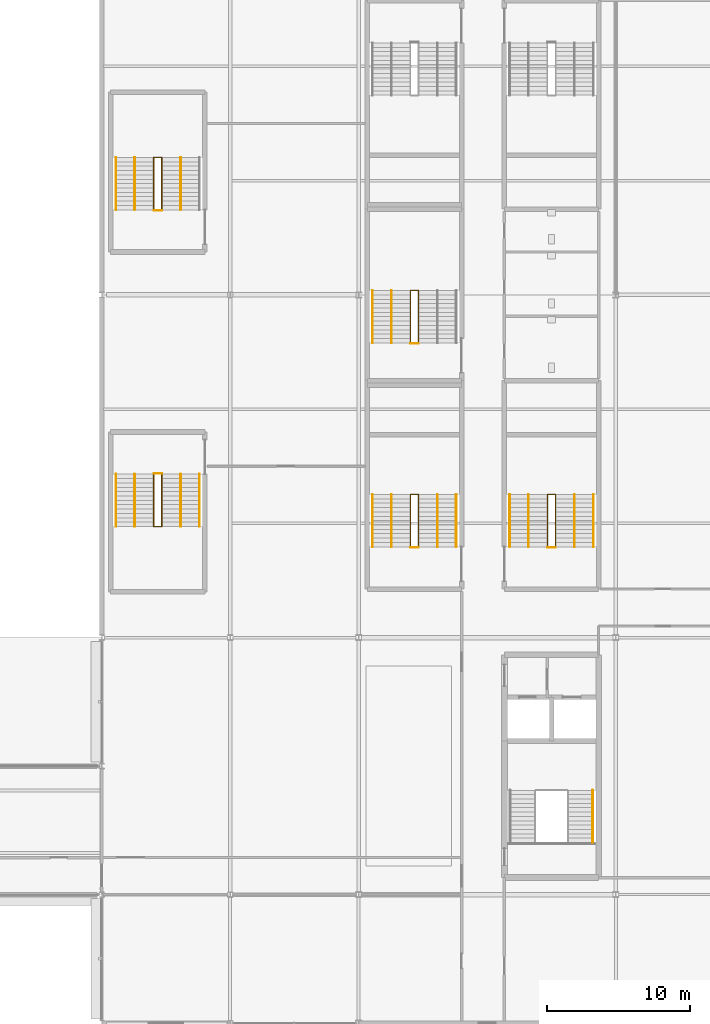
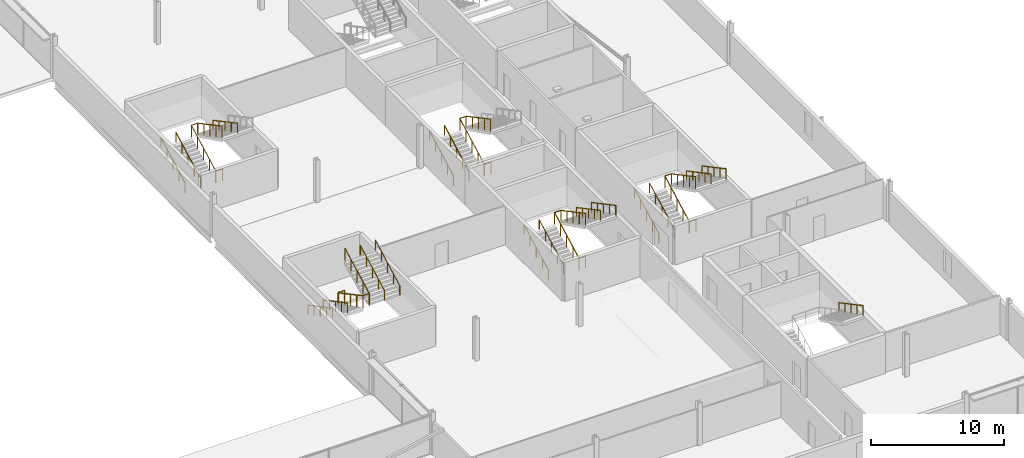
# One storey, part 101 of 105: 28 railings.
"""IFC4 building model written with IfcOpenShell, lengths in metres."""

from ifc_helpers import new_model, si_unit, direction, frame, origin, origin_2d, place, context, subcontext, project, spatial, circle, extrude, material, type_object, element, save


model = new_model("IFC4")

# Units and contexts
model_context = context("Model", 3, precision=1e-05, world=origin(), true_north=direction((0.0, 1.0)))
body_context = subcontext(model_context, "Body", "Model", "MODEL_VIEW")
ifc_project = project(units=[si_unit("LENGTHUNIT", "METRE"), si_unit("AREAUNIT", "SQUARE_METRE"), si_unit("VOLUMEUNIT", "CUBIC_METRE"), si_unit("PLANEANGLEUNIT", "RADIAN"), si_unit("MASSUNIT", "GRAM", prefix="KILO")], contexts=[model_context])

# Site, building, storey
site_placement = place(None, origin())
site = spatial("IfcSite", under=ifc_project, at=site_placement, CompositionType="ELEMENT")
building_placement = place(site_placement, origin())
building = spatial("IfcBuilding", under=site, at=building_placement, Name="Kisiwana Market Hall", CompositionType="ELEMENT")
storey_placement = place(building_placement, frame((0.0, 0.0, 21.60009765625)))
storey = spatial("IfcBuildingStorey", under=building, at=storey_placement, Name="L04", CompositionType="ELEMENT", Elevation=21.60009765625)

# Railings
ifc_material_1 = material(Name="Steel S275", Category="steel")
railing_type_1 = type_object("IfcRailingType", Name="RL-GUARD-1100", PredefinedType="GUARDRAIL", material=ifc_material_1)
railing_1_placement = place(storey_placement, frame((184.219970703125, 42.360107421875, 0.0)))
element("IfcRailing", 1, at=railing_1_placement, inside=storey, type_object=railing_type_1, Name="Stair ST-E3-L04 inner-well guardrail (RL-779)", PredefinedType="GUARDRAIL", context=body_context, shape_type="SweptSolid", body=[
    extrude(circle(Radius=0.02392578125, at=origin_2d()), frame((0.0, 0.0, 1.076171875), z_axis=(0.0, 0.88255331184, 0.47021234752), x_axis=(-1.0, 0.0, 0.0)), (0.0, 0.0, 1.0), 4.14697265625),
    extrude(circle(Radius=0.02392578125, at=origin_2d()), frame((0.0, 3.659912109375, 3.02587890625), z_axis=(1.0, 0.0, 0.0), x_axis=(0.0, 1.0, 0.0)), (0.0, 0.0, 1.0), 0.56005859375),
    extrude(circle(Radius=0.02392578125, at=origin_2d()), frame((0.56005859375, 3.659912109375, 3.02587890625), z_axis=(0.0, -0.88255331184, 0.47021234752), x_axis=(1.0, 0.0, 0.0)), (0.0, 0.0, 1.0), 4.14697265625),
    extrude(circle(Radius=0.02099609375, at=origin_2d()), origin(), (0.0, 0.0, 1.0), 1.052001953125),
    extrude(circle(Radius=0.02099609375, at=origin_2d()), frame((0.0, 0.9150390625, 0.487548828125)), (0.0, 0.0, 1.0), 1.052001953125),
    extrude(circle(Radius=0.02099609375, at=origin_2d()), frame((0.0, 1.830078125, 0.97509765625)), (0.0, 0.0, 1.0), 1.052001953125),
    extrude(circle(Radius=0.02099609375, at=origin_2d()), frame((0.0, 2.744873046875, 1.46240234375)), (0.0, 0.0, 1.0), 1.052001953125),
    extrude(circle(Radius=0.02099609375, at=origin_2d()), frame((0.0, 3.659912109375, 1.949951171875)), (0.0, 0.0, 1.0), 1.052001953125),
    extrude(circle(Radius=0.02099609375, at=origin_2d()), frame((0.56005859375, 3.659912109375, 1.949951171875)), (0.0, 0.0, 1.0), 1.052001953125),
    extrude(circle(Radius=0.02099609375, at=origin_2d()), frame((0.56005859375, 2.744873046875, 2.4375)), (0.0, 0.0, 1.0), 1.052001953125),
    extrude(circle(Radius=0.02099609375, at=origin_2d()), frame((0.56005859375, 1.830078125, 2.9248046875)), (0.0, 0.0, 1.0), 1.052001953125),
    extrude(circle(Radius=0.02099609375, at=origin_2d()), frame((0.56005859375, 0.9150390625, 3.412353515625)), (0.0, 0.0, 1.0), 1.052001953125),
    extrude(circle(Radius=0.02099609375, at=origin_2d()), frame((0.56005859375, 0.0, 3.89990234375)), (0.0, 0.0, 1.0), 1.052001953125),
])
railing_2_placement = place(storey_placement, frame((184.219970703125, 42.31005859375, 0.0)))
element("IfcRailing", 2, at=railing_2_placement, inside=storey, type_object=railing_type_1, Name="Stair ST-E3-L04 landing edge guardrail (RL-784)", PredefinedType="GUARDRAIL", context=body_context, shape_type="SweptSolid", body=[
    extrude(circle(Radius=0.02392578125, at=origin_2d()), frame((0.0, 0.0, 1.076171875), z_axis=(1.0, 0.0, 0.0), x_axis=(0.0, 1.0, 0.0)), (0.0, 0.0, 1.0), 0.56005859375),
    extrude(circle(Radius=0.02099609375, at=origin_2d()), origin(), (0.0, 0.0, 1.0), 1.052001953125),
    extrude(circle(Radius=0.02099609375, at=origin_2d()), frame((0.56005859375, 0.0, 0.0)), (0.0, 0.0, 1.0), 1.052001953125),
])
railing_3_placement = place(storey_placement, frame((174.6201171875, 42.360107421875, 0.0)))
element("IfcRailing", 3, at=railing_3_placement, inside=storey, type_object=railing_type_1, Name="Stair ST-E7-L04 inner-well guardrail (RL-797)", PredefinedType="GUARDRAIL", context=body_context, shape_type="SweptSolid", body=[
    extrude(circle(Radius=0.02392578125, at=origin_2d()), frame((0.0, 0.0, 1.076171875), z_axis=(0.0, 0.88255331184, 0.47021234752), x_axis=(-1.0, 0.0, 0.0)), (0.0, 0.0, 1.0), 4.14697265625),
    extrude(circle(Radius=0.02392578125, at=origin_2d()), frame((0.0, 3.659912109375, 3.02587890625), z_axis=(1.0, 0.0, 0.0), x_axis=(0.0, 1.0, 0.0)), (0.0, 0.0, 1.0), 0.559814453125),
    extrude(circle(Radius=0.02392578125, at=origin_2d()), frame((0.559814453125, 3.659912109375, 3.02587890625), z_axis=(0.0, -0.88255331184, 0.47021234752), x_axis=(1.0, 0.0, 0.0)), (0.0, 0.0, 1.0), 4.14697265625),
    extrude(circle(Radius=0.02099609375, at=origin_2d()), origin(), (0.0, 0.0, 1.0), 1.052001953125),
    extrude(circle(Radius=0.02099609375, at=origin_2d()), frame((0.0, 0.9150390625, 0.487548828125)), (0.0, 0.0, 1.0), 1.052001953125),
    extrude(circle(Radius=0.02099609375, at=origin_2d()), frame((0.0, 1.830078125, 0.97509765625)), (0.0, 0.0, 1.0), 1.052001953125),
    extrude(circle(Radius=0.02099609375, at=origin_2d()), frame((0.0, 2.744873046875, 1.46240234375)), (0.0, 0.0, 1.0), 1.052001953125),
    extrude(circle(Radius=0.02099609375, at=origin_2d()), frame((0.0, 3.659912109375, 1.949951171875)), (0.0, 0.0, 1.0), 1.052001953125),
    extrude(circle(Radius=0.02099609375, at=origin_2d()), frame((0.559814453125, 3.659912109375, 1.949951171875)), (0.0, 0.0, 1.0), 1.052001953125),
    extrude(circle(Radius=0.02099609375, at=origin_2d()), frame((0.559814453125, 2.744873046875, 2.4375)), (0.0, 0.0, 1.0), 1.052001953125),
    extrude(circle(Radius=0.02099609375, at=origin_2d()), frame((0.559814453125, 1.830078125, 2.9248046875)), (0.0, 0.0, 1.0), 1.052001953125),
    extrude(circle(Radius=0.02099609375, at=origin_2d()), frame((0.559814453125, 0.9150390625, 3.412353515625)), (0.0, 0.0, 1.0), 1.052001953125),
    extrude(circle(Radius=0.02099609375, at=origin_2d()), frame((0.559814453125, 0.0, 3.89990234375)), (0.0, 0.0, 1.0), 1.052001953125),
])
railing_4_placement = place(storey_placement, frame((174.6201171875, 42.31005859375, 0.0)))
element("IfcRailing", 4, at=railing_4_placement, inside=storey, type_object=railing_type_1, Name="Stair ST-E7-L04 landing edge guardrail (RL-802)", PredefinedType="GUARDRAIL", context=body_context, shape_type="SweptSolid", body=[
    extrude(circle(Radius=0.02392578125, at=origin_2d()), frame((0.0, 0.0, 1.076171875), z_axis=(1.0, 0.0, 0.0), x_axis=(0.0, 1.0, 0.0)), (0.0, 0.0, 1.0), 0.559814453125),
    extrude(circle(Radius=0.02099609375, at=origin_2d()), origin(), (0.0, 0.0, 1.0), 1.052001953125),
    extrude(circle(Radius=0.02099609375, at=origin_2d()), frame((0.559814453125, 0.0, 0.0)), (0.0, 0.0, 1.0), 1.052001953125),
])
railing_5_placement = place(storey_placement, frame((156.64990234375, 47.43994140625, 0.0)))
element("IfcRailing", 5, at=railing_5_placement, inside=storey, type_object=railing_type_1, Name="Stair ST-E9-L04 inner-well guardrail (RL-821)", PredefinedType="GUARDRAIL", context=body_context, shape_type="SweptSolid", body=[
    extrude(circle(Radius=0.02392578125, at=origin_2d()), frame((0.0, 0.0, 1.076171875), z_axis=(0.0, -0.88255331184, 0.47021234752), x_axis=(1.0, 0.0, 0.0)), (0.0, 0.0, 1.0), 4.14697265625),
    extrude(circle(Radius=0.02392578125, at=origin_2d()), frame((0.0, -3.659912109375, 3.02587890625), z_axis=(1.0, 0.0, 0.0), x_axis=(0.0, 1.0, 0.0)), (0.0, 0.0, 1.0), 0.56005859375),
    extrude(circle(Radius=0.02392578125, at=origin_2d()), frame((0.56005859375, -3.659912109375, 3.02587890625), z_axis=(0.0, 0.88255331184, 0.47021234752), x_axis=(-1.0, 0.0, 0.0)), (0.0, 0.0, 1.0), 4.14697265625),
    extrude(circle(Radius=0.02099609375, at=origin_2d()), origin(), (0.0, 0.0, 1.0), 1.052001953125),
    extrude(circle(Radius=0.02099609375, at=origin_2d()), frame((0.0, -0.9150390625, 0.487548828125)), (0.0, 0.0, 1.0), 1.052001953125),
    extrude(circle(Radius=0.02099609375, at=origin_2d()), frame((0.0, -1.830078125, 0.97509765625)), (0.0, 0.0, 1.0), 1.052001953125),
    extrude(circle(Radius=0.02099609375, at=origin_2d()), frame((0.0, -2.744873046875, 1.46240234375)), (0.0, 0.0, 1.0), 1.052001953125),
    extrude(circle(Radius=0.02099609375, at=origin_2d()), frame((0.0, -3.659912109375, 1.949951171875)), (0.0, 0.0, 1.0), 1.052001953125),
    extrude(circle(Radius=0.02099609375, at=origin_2d()), frame((0.56005859375, -3.659912109375, 1.949951171875)), (0.0, 0.0, 1.0), 1.052001953125),
    extrude(circle(Radius=0.02099609375, at=origin_2d()), frame((0.56005859375, -2.744873046875, 2.4375)), (0.0, 0.0, 1.0), 1.052001953125),
    extrude(circle(Radius=0.02099609375, at=origin_2d()), frame((0.56005859375, -1.830078125, 2.9248046875)), (0.0, 0.0, 1.0), 1.052001953125),
    extrude(circle(Radius=0.02099609375, at=origin_2d()), frame((0.56005859375, -0.9150390625, 3.412353515625)), (0.0, 0.0, 1.0), 1.052001953125),
    extrude(circle(Radius=0.02099609375, at=origin_2d()), frame((0.56005859375, 0.0, 3.89990234375)), (0.0, 0.0, 1.0), 1.052001953125),
])
railing_6_placement = place(storey_placement, frame((156.64990234375, 47.489990234375, 0.0)))
element("IfcRailing", 6, at=railing_6_placement, inside=storey, type_object=railing_type_1, Name="Stair ST-E9-L04 landing edge guardrail (RL-826)", PredefinedType="GUARDRAIL", context=body_context, shape_type="SweptSolid", body=[
    extrude(circle(Radius=0.02392578125, at=origin_2d()), frame((0.0, 0.0, 1.076171875), z_axis=(1.0, 0.0, 0.0), x_axis=(0.0, 1.0, 0.0)), (0.0, 0.0, 1.0), 0.56005859375),
    extrude(circle(Radius=0.02099609375, at=origin_2d()), origin(), (0.0, 0.0, 1.0), 1.052001953125),
    extrude(circle(Radius=0.02099609375, at=origin_2d()), frame((0.56005859375, 0.0, 0.0)), (0.0, 0.0, 1.0), 1.052001953125),
])
railing_7_placement = place(storey_placement, frame((156.64990234375, 65.9599609375, 0.0)))
element("IfcRailing", 7, at=railing_7_placement, inside=storey, type_object=railing_type_1, Name="Stair ST-E10-L04 inner-well guardrail (RL-833)", PredefinedType="GUARDRAIL", context=body_context, shape_type="SweptSolid", body=[
    extrude(circle(Radius=0.02392578125, at=origin_2d()), frame((0.0, 0.0, 1.076171875), z_axis=(0.0, 0.882566327451, 0.470187917379), x_axis=(-1.0, 0.0, 0.0)), (0.0, 0.0, 1.0), 4.147216796875),
    extrude(circle(Radius=0.02392578125, at=origin_2d()), frame((0.0, 3.66015625, 3.02587890625), z_axis=(1.0, 0.0, 0.0), x_axis=(0.0, 1.0, 0.0)), (0.0, 0.0, 1.0), 0.56005859375),
    extrude(circle(Radius=0.02392578125, at=origin_2d()), frame((0.56005859375, 3.66015625, 3.02587890625), z_axis=(0.0, -0.882566327451, 0.470187917379), x_axis=(1.0, 0.0, 0.0)), (0.0, 0.0, 1.0), 4.147216796875),
    extrude(circle(Radius=0.02099609375, at=origin_2d()), origin(), (0.0, 0.0, 1.0), 1.052001953125),
    extrude(circle(Radius=0.02099609375, at=origin_2d()), frame((0.0, 0.9150390625, 0.487548828125)), (0.0, 0.0, 1.0), 1.052001953125),
    extrude(circle(Radius=0.02099609375, at=origin_2d()), frame((0.0, 1.830078125, 0.97509765625)), (0.0, 0.0, 1.0), 1.052001953125),
    extrude(circle(Radius=0.02099609375, at=origin_2d()), frame((0.0, 2.7451171875, 1.46240234375)), (0.0, 0.0, 1.0), 1.052001953125),
    extrude(circle(Radius=0.02099609375, at=origin_2d()), frame((0.0, 3.66015625, 1.949951171875)), (0.0, 0.0, 1.0), 1.052001953125),
    extrude(circle(Radius=0.02099609375, at=origin_2d()), frame((0.56005859375, 3.66015625, 1.949951171875)), (0.0, 0.0, 1.0), 1.052001953125),
    extrude(circle(Radius=0.02099609375, at=origin_2d()), frame((0.56005859375, 2.7451171875, 2.4375)), (0.0, 0.0, 1.0), 1.052001953125),
    extrude(circle(Radius=0.02099609375, at=origin_2d()), frame((0.56005859375, 1.830078125, 2.9248046875)), (0.0, 0.0, 1.0), 1.052001953125),
    extrude(circle(Radius=0.02099609375, at=origin_2d()), frame((0.56005859375, 0.9150390625, 3.412353515625)), (0.0, 0.0, 1.0), 1.052001953125),
    extrude(circle(Radius=0.02099609375, at=origin_2d()), frame((0.56005859375, 0.0, 3.89990234375)), (0.0, 0.0, 1.0), 1.052001953125),
])
railing_8_placement = place(storey_placement, frame((156.64990234375, 65.909912109375, 0.0)))
element("IfcRailing", 8, at=railing_8_placement, inside=storey, type_object=railing_type_1, Name="Stair ST-E10-L04 landing edge guardrail (RL-838)", PredefinedType="GUARDRAIL", context=body_context, shape_type="SweptSolid", body=[
    extrude(circle(Radius=0.02392578125, at=origin_2d()), frame((0.0, 0.0, 1.076171875), z_axis=(1.0, 0.0, 0.0), x_axis=(0.0, 1.0, 0.0)), (0.0, 0.0, 1.0), 0.56005859375),
    extrude(circle(Radius=0.02099609375, at=origin_2d()), origin(), (0.0, 0.0, 1.0), 1.052001953125),
    extrude(circle(Radius=0.02099609375, at=origin_2d()), frame((0.56005859375, 0.0, 0.0)), (0.0, 0.0, 1.0), 1.052001953125),
])
railing_9_placement = place(storey_placement, frame((174.6201171875, 56.639892578125, 0.0)))
element("IfcRailing", 9, at=railing_9_placement, inside=storey, type_object=railing_type_1, Name="Stair ST-E5-L04 inner-well guardrail (RL-845)", PredefinedType="GUARDRAIL", context=body_context, shape_type="SweptSolid", body=[
    extrude(circle(Radius=0.02392578125, at=origin_2d()), frame((0.0, 0.0, 1.076171875), z_axis=(0.0, 0.882566327451, 0.470187917379), x_axis=(-1.0, 0.0, 0.0)), (0.0, 0.0, 1.0), 4.147216796875),
    extrude(circle(Radius=0.02392578125, at=origin_2d()), frame((0.0, 3.66015625, 3.02587890625), z_axis=(1.0, 0.0, 0.0), x_axis=(0.0, 1.0, 0.0)), (0.0, 0.0, 1.0), 0.559814453125),
    extrude(circle(Radius=0.02392578125, at=origin_2d()), frame((0.559814453125, 3.66015625, 3.02587890625), z_axis=(0.0, -0.882566327451, 0.470187917379), x_axis=(1.0, 0.0, 0.0)), (0.0, 0.0, 1.0), 4.147216796875),
    extrude(circle(Radius=0.02099609375, at=origin_2d()), origin(), (0.0, 0.0, 1.0), 1.052001953125),
    extrude(circle(Radius=0.02099609375, at=origin_2d()), frame((0.0, 0.9150390625, 0.487548828125)), (0.0, 0.0, 1.0), 1.052001953125),
    extrude(circle(Radius=0.02099609375, at=origin_2d()), frame((0.0, 1.830078125, 0.97509765625)), (0.0, 0.0, 1.0), 1.052001953125),
    extrude(circle(Radius=0.02099609375, at=origin_2d()), frame((0.0, 2.7451171875, 1.46240234375)), (0.0, 0.0, 1.0), 1.052001953125),
    extrude(circle(Radius=0.02099609375, at=origin_2d()), frame((0.0, 3.66015625, 1.949951171875)), (0.0, 0.0, 1.0), 1.052001953125),
    extrude(circle(Radius=0.02099609375, at=origin_2d()), frame((0.559814453125, 3.66015625, 1.949951171875)), (0.0, 0.0, 1.0), 1.052001953125),
    extrude(circle(Radius=0.02099609375, at=origin_2d()), frame((0.559814453125, 2.7451171875, 2.4375)), (0.0, 0.0, 1.0), 1.052001953125),
    extrude(circle(Radius=0.02099609375, at=origin_2d()), frame((0.559814453125, 1.830078125, 2.9248046875)), (0.0, 0.0, 1.0), 1.052001953125),
    extrude(circle(Radius=0.02099609375, at=origin_2d()), frame((0.559814453125, 0.9150390625, 3.412353515625)), (0.0, 0.0, 1.0), 1.052001953125),
    extrude(circle(Radius=0.02099609375, at=origin_2d()), frame((0.559814453125, 0.0, 3.89990234375)), (0.0, 0.0, 1.0), 1.052001953125),
])
railing_10_placement = place(storey_placement, frame((174.6201171875, 56.590087890625, 0.0)))
element("IfcRailing", 10, at=railing_10_placement, inside=storey, type_object=railing_type_1, Name="Stair ST-E5-L04 landing edge guardrail (RL-850)", PredefinedType="GUARDRAIL", context=body_context, shape_type="SweptSolid", body=[
    extrude(circle(Radius=0.02392578125, at=origin_2d()), frame((0.0, 0.0, 1.076171875), z_axis=(1.0, 0.0, 0.0), x_axis=(0.0, 1.0, 0.0)), (0.0, 0.0, 1.0), 0.559814453125),
    extrude(circle(Radius=0.02099609375, at=origin_2d()), origin(), (0.0, 0.0, 1.0), 1.052001953125),
    extrude(circle(Radius=0.02099609375, at=origin_2d()), frame((0.559814453125, 0.0, 0.0)), (0.0, 0.0, 1.0), 1.052001953125),
])
ifc_material_2 = material(Name="Steel S275", Category="steel")
railing_type_2 = type_object("IfcRailingType", Name="RL-HAND-900", PredefinedType="HANDRAIL", material=ifc_material_2)
railing_11_placement = place(storey_placement, frame((187.389892578125, 25.3095703125, 1.949951171875)))
element("IfcRailing", 11, at=railing_11_placement, inside=storey, type_object=railing_type_2, Name="Stair ST-E2-L04 flight 2 handrail (RL-761)", PredefinedType="HANDRAIL", context=body_context, shape_type="SweptSolid", body=[
    extrude(circle(Radius=0.02392578125, at=origin_2d()), frame((0.0, 0.0, 0.8759765625), z_axis=(0.0, -0.882566327451, 0.470187917379), x_axis=(1.0, 0.0, 0.0)), (0.0, 0.0, 1.0), 4.147216796875),
    extrude(circle(Radius=0.02099609375, at=origin_2d()), origin(), (0.0, 0.0, 1.0), 0.851806640625),
    extrude(circle(Radius=0.02099609375, at=origin_2d()), frame((0.0, -0.9150390625, 0.487548828125)), (0.0, 0.0, 1.0), 0.851806640625),
    extrude(circle(Radius=0.02099609375, at=origin_2d()), frame((0.0, -1.830078125, 0.97509765625)), (0.0, 0.0, 1.0), 0.851806640625),
    extrude(circle(Radius=0.02099609375, at=origin_2d()), frame((0.0, -2.7451171875, 1.46240234375)), (0.0, 0.0, 1.0), 0.851806640625),
    extrude(circle(Radius=0.02099609375, at=origin_2d()), frame((0.0, -3.66015625, 1.949951171875)), (0.0, 0.0, 1.0), 0.851806640625),
])
railing_12_placement = place(storey_placement, frame((181.570068359375, 42.360107421875, 0.0)))
element("IfcRailing", 12, at=railing_12_placement, inside=storey, type_object=railing_type_2, Name="Stair ST-E3-L04 flight 1 handrail (RL-780)", PredefinedType="HANDRAIL", context=body_context, shape_type="SweptSolid", body=[
    extrude(circle(Radius=0.02392578125, at=origin_2d()), frame((0.0, 0.0, 0.8759765625), z_axis=(0.0, 0.88255331184, 0.47021234752), x_axis=(-1.0, 0.0, 0.0)), (0.0, 0.0, 1.0), 4.14697265625),
    extrude(circle(Radius=0.02099609375, at=origin_2d()), origin(), (0.0, 0.0, 1.0), 0.851806640625),
    extrude(circle(Radius=0.02099609375, at=origin_2d()), frame((0.0, 0.9150390625, 0.487548828125)), (0.0, 0.0, 1.0), 0.851806640625),
    extrude(circle(Radius=0.02099609375, at=origin_2d()), frame((0.0, 1.830078125, 0.97509765625)), (0.0, 0.0, 1.0), 0.851806640625),
    extrude(circle(Radius=0.02099609375, at=origin_2d()), frame((0.0, 2.744873046875, 1.46240234375)), (0.0, 0.0, 1.0), 0.851806640625),
    extrude(circle(Radius=0.02099609375, at=origin_2d()), frame((0.0, 3.659912109375, 1.949951171875)), (0.0, 0.0, 1.0), 0.851806640625),
])
railing_13_placement = place(storey_placement, frame((187.429931640625, 46.02001953125, 1.949951171875)))
element("IfcRailing", 13, at=railing_13_placement, inside=storey, type_object=railing_type_2, Name="Stair ST-E3-L04 flight 2 handrail (RL-781)", PredefinedType="HANDRAIL", context=body_context, shape_type="SweptSolid", body=[
    extrude(circle(Radius=0.02392578125, at=origin_2d()), frame((0.0, 0.0, 0.8759765625), z_axis=(0.0, -0.88255331184, 0.47021234752), x_axis=(1.0, 0.0, 0.0)), (0.0, 0.0, 1.0), 4.14697265625),
    extrude(circle(Radius=0.02099609375, at=origin_2d()), origin(), (0.0, 0.0, 1.0), 0.851806640625),
    extrude(circle(Radius=0.02099609375, at=origin_2d()), frame((0.0, -0.9150390625, 0.487548828125)), (0.0, 0.0, 1.0), 0.851806640625),
    extrude(circle(Radius=0.02099609375, at=origin_2d()), frame((0.0, -1.830078125, 0.97509765625)), (0.0, 0.0, 1.0), 0.851806640625),
    extrude(circle(Radius=0.02099609375, at=origin_2d()), frame((0.0, -2.744873046875, 1.46240234375)), (0.0, 0.0, 1.0), 0.851806640625),
    extrude(circle(Radius=0.02099609375, at=origin_2d()), frame((0.0, -3.659912109375, 1.949951171875)), (0.0, 0.0, 1.0), 0.851806640625),
])
railing_14_placement = place(storey_placement, frame((182.889892578125, 42.360107421875, 0.0)))
element("IfcRailing", 14, at=railing_14_placement, inside=storey, type_object=railing_type_2, Name="Stair ST-E3-L04 flight 1 intermediate handrail (RL-782)", PredefinedType="HANDRAIL", context=body_context, shape_type="SweptSolid", body=[
    extrude(circle(Radius=0.02392578125, at=origin_2d()), frame((0.0, 0.0, 0.8759765625), z_axis=(0.0, 0.88255331184, 0.47021234752), x_axis=(-1.0, 0.0, 0.0)), (0.0, 0.0, 1.0), 4.14697265625),
    extrude(circle(Radius=0.02099609375, at=origin_2d()), origin(), (0.0, 0.0, 1.0), 0.851806640625),
    extrude(circle(Radius=0.02099609375, at=origin_2d()), frame((0.0, 0.9150390625, 0.487548828125)), (0.0, 0.0, 1.0), 0.851806640625),
    extrude(circle(Radius=0.02099609375, at=origin_2d()), frame((0.0, 1.830078125, 0.97509765625)), (0.0, 0.0, 1.0), 0.851806640625),
    extrude(circle(Radius=0.02099609375, at=origin_2d()), frame((0.0, 2.744873046875, 1.46240234375)), (0.0, 0.0, 1.0), 0.851806640625),
    extrude(circle(Radius=0.02099609375, at=origin_2d()), frame((0.0, 3.659912109375, 1.949951171875)), (0.0, 0.0, 1.0), 0.851806640625),
])
railing_15_placement = place(storey_placement, frame((186.110107421875, 46.02001953125, 1.949951171875)))
element("IfcRailing", 15, at=railing_15_placement, inside=storey, type_object=railing_type_2, Name="Stair ST-E3-L04 flight 2 intermediate handrail (RL-783)", PredefinedType="HANDRAIL", context=body_context, shape_type="SweptSolid", body=[
    extrude(circle(Radius=0.02392578125, at=origin_2d()), frame((0.0, 0.0, 0.8759765625), z_axis=(0.0, -0.88255331184, 0.47021234752), x_axis=(1.0, 0.0, 0.0)), (0.0, 0.0, 1.0), 4.14697265625),
    extrude(circle(Radius=0.02099609375, at=origin_2d()), origin(), (0.0, 0.0, 1.0), 0.851806640625),
    extrude(circle(Radius=0.02099609375, at=origin_2d()), frame((0.0, -0.9150390625, 0.487548828125)), (0.0, 0.0, 1.0), 0.851806640625),
    extrude(circle(Radius=0.02099609375, at=origin_2d()), frame((0.0, -1.830078125, 0.97509765625)), (0.0, 0.0, 1.0), 0.851806640625),
    extrude(circle(Radius=0.02099609375, at=origin_2d()), frame((0.0, -2.744873046875, 1.46240234375)), (0.0, 0.0, 1.0), 0.851806640625),
    extrude(circle(Radius=0.02099609375, at=origin_2d()), frame((0.0, -3.659912109375, 1.949951171875)), (0.0, 0.0, 1.0), 0.851806640625),
])
railing_16_placement = place(storey_placement, frame((171.969970703125, 42.360107421875, 0.0)))
element("IfcRailing", 16, at=railing_16_placement, inside=storey, type_object=railing_type_2, Name="Stair ST-E7-L04 flight 1 handrail (RL-798)", PredefinedType="HANDRAIL", context=body_context, shape_type="SweptSolid", body=[
    extrude(circle(Radius=0.02392578125, at=origin_2d()), frame((0.0, 0.0, 0.8759765625), z_axis=(0.0, 0.88255331184, 0.47021234752), x_axis=(-1.0, 0.0, 0.0)), (0.0, 0.0, 1.0), 4.14697265625),
    extrude(circle(Radius=0.02099609375, at=origin_2d()), origin(), (0.0, 0.0, 1.0), 0.851806640625),
    extrude(circle(Radius=0.02099609375, at=origin_2d()), frame((0.0, 0.9150390625, 0.487548828125)), (0.0, 0.0, 1.0), 0.851806640625),
    extrude(circle(Radius=0.02099609375, at=origin_2d()), frame((0.0, 1.830078125, 0.97509765625)), (0.0, 0.0, 1.0), 0.851806640625),
    extrude(circle(Radius=0.02099609375, at=origin_2d()), frame((0.0, 2.744873046875, 1.46240234375)), (0.0, 0.0, 1.0), 0.851806640625),
    extrude(circle(Radius=0.02099609375, at=origin_2d()), frame((0.0, 3.659912109375, 1.949951171875)), (0.0, 0.0, 1.0), 0.851806640625),
])
railing_17_placement = place(storey_placement, frame((177.830078125, 46.02001953125, 1.949951171875)))
element("IfcRailing", 17, at=railing_17_placement, inside=storey, type_object=railing_type_2, Name="Stair ST-E7-L04 flight 2 handrail (RL-799)", PredefinedType="HANDRAIL", context=body_context, shape_type="SweptSolid", body=[
    extrude(circle(Radius=0.02392578125, at=origin_2d()), frame((0.0, 0.0, 0.8759765625), z_axis=(0.0, -0.88255331184, 0.47021234752), x_axis=(1.0, 0.0, 0.0)), (0.0, 0.0, 1.0), 4.14697265625),
    extrude(circle(Radius=0.02099609375, at=origin_2d()), origin(), (0.0, 0.0, 1.0), 0.851806640625),
    extrude(circle(Radius=0.02099609375, at=origin_2d()), frame((0.0, -0.9150390625, 0.487548828125)), (0.0, 0.0, 1.0), 0.851806640625),
    extrude(circle(Radius=0.02099609375, at=origin_2d()), frame((0.0, -1.830078125, 0.97509765625)), (0.0, 0.0, 1.0), 0.851806640625),
    extrude(circle(Radius=0.02099609375, at=origin_2d()), frame((0.0, -2.744873046875, 1.46240234375)), (0.0, 0.0, 1.0), 0.851806640625),
    extrude(circle(Radius=0.02099609375, at=origin_2d()), frame((0.0, -3.659912109375, 1.949951171875)), (0.0, 0.0, 1.0), 0.851806640625),
])
railing_18_placement = place(storey_placement, frame((173.2900390625, 42.360107421875, 0.0)))
element("IfcRailing", 18, at=railing_18_placement, inside=storey, type_object=railing_type_2, Name="Stair ST-E7-L04 flight 1 intermediate handrail (RL-800)", PredefinedType="HANDRAIL", context=body_context, shape_type="SweptSolid", body=[
    extrude(circle(Radius=0.02392578125, at=origin_2d()), frame((0.0, 0.0, 0.8759765625), z_axis=(0.0, 0.88255331184, 0.47021234752), x_axis=(-1.0, 0.0, 0.0)), (0.0, 0.0, 1.0), 4.14697265625),
    extrude(circle(Radius=0.02099609375, at=origin_2d()), origin(), (0.0, 0.0, 1.0), 0.851806640625),
    extrude(circle(Radius=0.02099609375, at=origin_2d()), frame((0.0, 0.9150390625, 0.487548828125)), (0.0, 0.0, 1.0), 0.851806640625),
    extrude(circle(Radius=0.02099609375, at=origin_2d()), frame((0.0, 1.830078125, 0.97509765625)), (0.0, 0.0, 1.0), 0.851806640625),
    extrude(circle(Radius=0.02099609375, at=origin_2d()), frame((0.0, 2.744873046875, 1.46240234375)), (0.0, 0.0, 1.0), 0.851806640625),
    extrude(circle(Radius=0.02099609375, at=origin_2d()), frame((0.0, 3.659912109375, 1.949951171875)), (0.0, 0.0, 1.0), 0.851806640625),
])
for number, where, name in (
    (19, (176.510009765625, 46.02001953125, 1.949951171875), "Stair ST-E7-L04 flight 2 intermediate handrail (RL-801)"),
    (20, (154.0, 47.43994140625, 0.0), "Stair ST-E9-L04 flight 1 handrail (RL-822)"),
):
    element("IfcRailing", number, at=place(storey_placement, frame(where)), inside=storey, type_object=railing_type_2, Name=name, PredefinedType="HANDRAIL", context=body_context, shape_type="SweptSolid", body=[
        extrude(circle(Radius=0.02392578125, at=origin_2d()), frame((0.0, 0.0, 0.8759765625), z_axis=(0.0, -0.88255331184, 0.47021234752), x_axis=(1.0, 0.0, 0.0)), (0.0, 0.0, 1.0), 4.14697265625),
        extrude(circle(Radius=0.02099609375, at=origin_2d()), origin(), (0.0, 0.0, 1.0), 0.851806640625),
        extrude(circle(Radius=0.02099609375, at=origin_2d()), frame((0.0, -0.9150390625, 0.487548828125)), (0.0, 0.0, 1.0), 0.851806640625),
        extrude(circle(Radius=0.02099609375, at=origin_2d()), frame((0.0, -1.830078125, 0.97509765625)), (0.0, 0.0, 1.0), 0.851806640625),
        extrude(circle(Radius=0.02099609375, at=origin_2d()), frame((0.0, -2.744873046875, 1.46240234375)), (0.0, 0.0, 1.0), 0.851806640625),
        extrude(circle(Radius=0.02099609375, at=origin_2d()), frame((0.0, -3.659912109375, 1.949951171875)), (0.0, 0.0, 1.0), 0.851806640625),
    ])
railing_19_placement = place(storey_placement, frame((159.860107421875, 43.780029296875, 1.949951171875)))
element("IfcRailing", 21, at=railing_19_placement, inside=storey, type_object=railing_type_2, Name="Stair ST-E9-L04 flight 2 handrail (RL-823)", PredefinedType="HANDRAIL", context=body_context, shape_type="SweptSolid", body=[
    extrude(circle(Radius=0.02392578125, at=origin_2d()), frame((0.0, 0.0, 0.8759765625), z_axis=(0.0, 0.88255331184, 0.47021234752), x_axis=(-1.0, 0.0, 0.0)), (0.0, 0.0, 1.0), 4.14697265625),
    extrude(circle(Radius=0.02099609375, at=origin_2d()), origin(), (0.0, 0.0, 1.0), 0.851806640625),
    extrude(circle(Radius=0.02099609375, at=origin_2d()), frame((0.0, 0.9150390625, 0.487548828125)), (0.0, 0.0, 1.0), 0.851806640625),
    extrude(circle(Radius=0.02099609375, at=origin_2d()), frame((0.0, 1.830078125, 0.97509765625)), (0.0, 0.0, 1.0), 0.851806640625),
    extrude(circle(Radius=0.02099609375, at=origin_2d()), frame((0.0, 2.744873046875, 1.46240234375)), (0.0, 0.0, 1.0), 0.851806640625),
    extrude(circle(Radius=0.02099609375, at=origin_2d()), frame((0.0, 3.659912109375, 1.949951171875)), (0.0, 0.0, 1.0), 0.851806640625),
])
railing_20_placement = place(storey_placement, frame((155.320068359375, 47.43994140625, 0.0)))
element("IfcRailing", 22, at=railing_20_placement, inside=storey, type_object=railing_type_2, Name="Stair ST-E9-L04 flight 1 intermediate handrail (RL-824)", PredefinedType="HANDRAIL", context=body_context, shape_type="SweptSolid", body=[
    extrude(circle(Radius=0.02392578125, at=origin_2d()), frame((0.0, 0.0, 0.8759765625), z_axis=(0.0, -0.88255331184, 0.47021234752), x_axis=(1.0, 0.0, 0.0)), (0.0, 0.0, 1.0), 4.14697265625),
    extrude(circle(Radius=0.02099609375, at=origin_2d()), origin(), (0.0, 0.0, 1.0), 0.851806640625),
    extrude(circle(Radius=0.02099609375, at=origin_2d()), frame((0.0, -0.9150390625, 0.487548828125)), (0.0, 0.0, 1.0), 0.851806640625),
    extrude(circle(Radius=0.02099609375, at=origin_2d()), frame((0.0, -1.830078125, 0.97509765625)), (0.0, 0.0, 1.0), 0.851806640625),
    extrude(circle(Radius=0.02099609375, at=origin_2d()), frame((0.0, -2.744873046875, 1.46240234375)), (0.0, 0.0, 1.0), 0.851806640625),
    extrude(circle(Radius=0.02099609375, at=origin_2d()), frame((0.0, -3.659912109375, 1.949951171875)), (0.0, 0.0, 1.0), 0.851806640625),
])
railing_21_placement = place(storey_placement, frame((158.5400390625, 43.780029296875, 1.949951171875)))
element("IfcRailing", 23, at=railing_21_placement, inside=storey, type_object=railing_type_2, Name="Stair ST-E9-L04 flight 2 intermediate handrail (RL-825)", PredefinedType="HANDRAIL", context=body_context, shape_type="SweptSolid", body=[
    extrude(circle(Radius=0.02392578125, at=origin_2d()), frame((0.0, 0.0, 0.8759765625), z_axis=(0.0, 0.88255331184, 0.47021234752), x_axis=(-1.0, 0.0, 0.0)), (0.0, 0.0, 1.0), 4.14697265625),
    extrude(circle(Radius=0.02099609375, at=origin_2d()), origin(), (0.0, 0.0, 1.0), 0.851806640625),
    extrude(circle(Radius=0.02099609375, at=origin_2d()), frame((0.0, 0.9150390625, 0.487548828125)), (0.0, 0.0, 1.0), 0.851806640625),
    extrude(circle(Radius=0.02099609375, at=origin_2d()), frame((0.0, 1.830078125, 0.97509765625)), (0.0, 0.0, 1.0), 0.851806640625),
    extrude(circle(Radius=0.02099609375, at=origin_2d()), frame((0.0, 2.744873046875, 1.46240234375)), (0.0, 0.0, 1.0), 0.851806640625),
    extrude(circle(Radius=0.02099609375, at=origin_2d()), frame((0.0, 3.659912109375, 1.949951171875)), (0.0, 0.0, 1.0), 0.851806640625),
])
for number, where, name in (
    (24, (154.0, 65.9599609375, 0.0), "Stair ST-E10-L04 flight 1 handrail (RL-834)"),
    (25, (155.320068359375, 65.9599609375, 0.0), "Stair ST-E10-L04 flight 1 intermediate handrail (RL-836)"),
):
    element("IfcRailing", number, at=place(storey_placement, frame(where)), inside=storey, type_object=railing_type_2, Name=name, PredefinedType="HANDRAIL", context=body_context, shape_type="SweptSolid", body=[
        extrude(circle(Radius=0.02392578125, at=origin_2d()), frame((0.0, 0.0, 0.8759765625), z_axis=(0.0, 0.882566327451, 0.470187917379), x_axis=(-1.0, 0.0, 0.0)), (0.0, 0.0, 1.0), 4.147216796875),
        extrude(circle(Radius=0.02099609375, at=origin_2d()), origin(), (0.0, 0.0, 1.0), 0.851806640625),
        extrude(circle(Radius=0.02099609375, at=origin_2d()), frame((0.0, 0.9150390625, 0.487548828125)), (0.0, 0.0, 1.0), 0.851806640625),
        extrude(circle(Radius=0.02099609375, at=origin_2d()), frame((0.0, 1.830078125, 0.97509765625)), (0.0, 0.0, 1.0), 0.851806640625),
        extrude(circle(Radius=0.02099609375, at=origin_2d()), frame((0.0, 2.7451171875, 1.46240234375)), (0.0, 0.0, 1.0), 0.851806640625),
        extrude(circle(Radius=0.02099609375, at=origin_2d()), frame((0.0, 3.66015625, 1.949951171875)), (0.0, 0.0, 1.0), 0.851806640625),
    ])
railing_22_placement = place(storey_placement, frame((158.5400390625, 69.6201171875, 1.949951171875)))
element("IfcRailing", 26, at=railing_22_placement, inside=storey, type_object=railing_type_2, Name="Stair ST-E10-L04 flight 2 intermediate handrail (RL-837)", PredefinedType="HANDRAIL", context=body_context, shape_type="SweptSolid", body=[
    extrude(circle(Radius=0.02392578125, at=origin_2d()), frame((0.0, 0.0, 0.8759765625), z_axis=(0.0, -0.882566327451, 0.470187917379), x_axis=(1.0, 0.0, 0.0)), (0.0, 0.0, 1.0), 4.147216796875),
    extrude(circle(Radius=0.02099609375, at=origin_2d()), origin(), (0.0, 0.0, 1.0), 0.851806640625),
    extrude(circle(Radius=0.02099609375, at=origin_2d()), frame((0.0, -0.9150390625, 0.487548828125)), (0.0, 0.0, 1.0), 0.851806640625),
    extrude(circle(Radius=0.02099609375, at=origin_2d()), frame((0.0, -1.830078125, 0.97509765625)), (0.0, 0.0, 1.0), 0.851806640625),
    extrude(circle(Radius=0.02099609375, at=origin_2d()), frame((0.0, -2.7451171875, 1.46240234375)), (0.0, 0.0, 1.0), 0.851806640625),
    extrude(circle(Radius=0.02099609375, at=origin_2d()), frame((0.0, -3.66015625, 1.949951171875)), (0.0, 0.0, 1.0), 0.851806640625),
])
for number, where, name in (
    (27, (171.969970703125, 56.639892578125, 0.0), "Stair ST-E5-L04 flight 1 handrail (RL-846)"),
    (28, (173.2900390625, 56.639892578125, 0.0), "Stair ST-E5-L04 flight 1 intermediate handrail (RL-848)"),
):
    element("IfcRailing", number, at=place(storey_placement, frame(where)), inside=storey, type_object=railing_type_2, Name=name, PredefinedType="HANDRAIL", context=body_context, shape_type="SweptSolid", body=[
        extrude(circle(Radius=0.02392578125, at=origin_2d()), frame((0.0, 0.0, 0.8759765625), z_axis=(0.0, 0.882566327451, 0.470187917379), x_axis=(-1.0, 0.0, 0.0)), (0.0, 0.0, 1.0), 4.147216796875),
        extrude(circle(Radius=0.02099609375, at=origin_2d()), origin(), (0.0, 0.0, 1.0), 0.851806640625),
        extrude(circle(Radius=0.02099609375, at=origin_2d()), frame((0.0, 0.9150390625, 0.487548828125)), (0.0, 0.0, 1.0), 0.851806640625),
        extrude(circle(Radius=0.02099609375, at=origin_2d()), frame((0.0, 1.830078125, 0.97509765625)), (0.0, 0.0, 1.0), 0.851806640625),
        extrude(circle(Radius=0.02099609375, at=origin_2d()), frame((0.0, 2.7451171875, 1.46240234375)), (0.0, 0.0, 1.0), 0.851806640625),
        extrude(circle(Radius=0.02099609375, at=origin_2d()), frame((0.0, 3.66015625, 1.949951171875)), (0.0, 0.0, 1.0), 0.851806640625),
    ])

save(model, "model.ifc")
